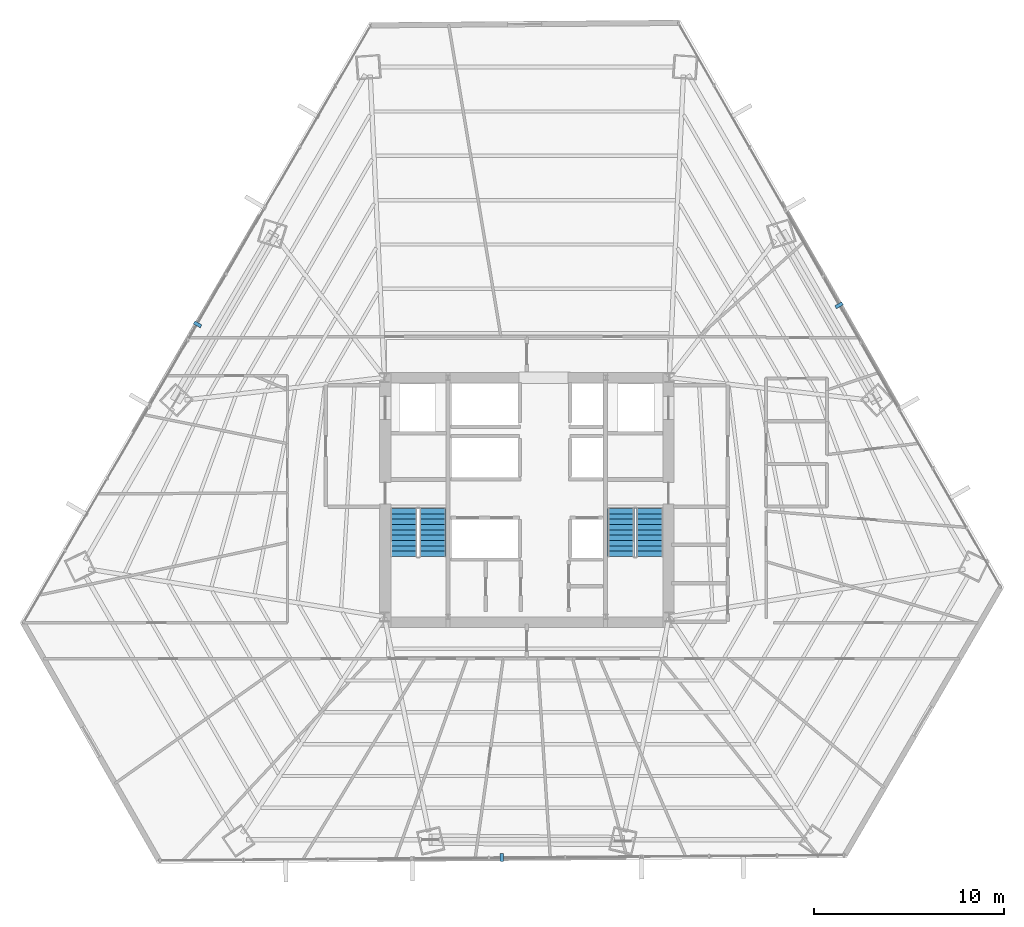
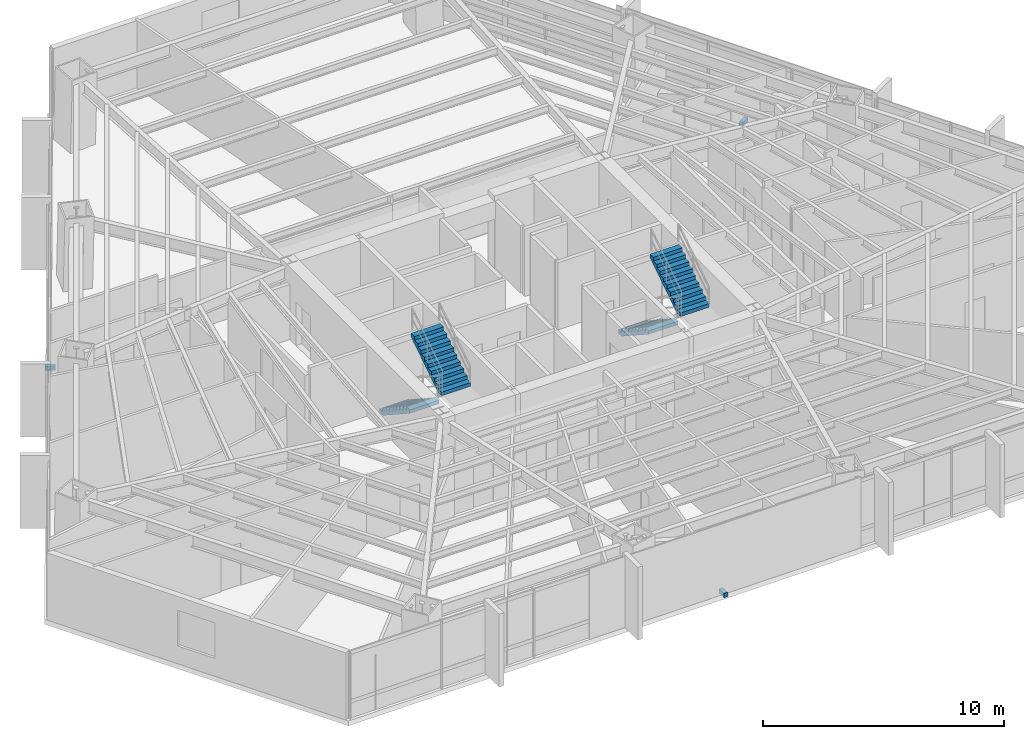
# One storey, part 35 of 38: 4 stair flights, 3 discrete accessories, 2 elements without a shape of their own.
"""IFC4 building model written with IfcOpenShell, lengths in metres."""

import ifcopenshell
import ifcopenshell.guid

model = None  # the IFC model being written
_history = None  # IfcOwnerHistory: only IFC2X3 demands one
_inside = {}  # id of a spatial element -> (the spatial element, [elements in it])
_under = {}  # id of a project, library or spatial element -> (it, [spatial elements below it])
_declared = {}  # id of a project -> (the project, [libraries it declares])
_typed = {}  # id of a type object -> (the type object, [elements of that type])
_made_of = {}  # id of a material, layer set ... -> (it, [elements and type objects made of it])


def new_model(schema):
    """Start an empty IFC model of exactly this schema.

    Asked for "IFC4X3", IfcOpenShell would pick the latest addendum, in which some entities
    have other attributes; the version numbers below select the first issue.
    IFC2X3 requires an IfcOwnerHistory on every rooted entity: one is made here for all.
    """
    global model, _history
    if schema == "IFC4X3":
        model = ifcopenshell.file(schema_version=(4, 3, 0, 0))
    else:
        model = ifcopenshell.file(schema=schema)
    _inside.clear()
    _under.clear()
    _declared.clear()
    _typed.clear()
    _made_of.clear()
    _history = None
    if model.schema == "IFC2X3":
        org = make("IfcOrganization", Name="unknown")
        user = make(
            "IfcPersonAndOrganization",
            ThePerson=make("IfcPerson", FamilyName="unknown"),
            TheOrganization=org,
        )
        app = make(
            "IfcApplication",
            ApplicationDeveloper=org,
            Version="unknown",
            ApplicationFullName="unknown",
            ApplicationIdentifier="unknown",
        )
        _history = make(
            "IfcOwnerHistory",
            OwningUser=user,
            OwningApplication=app,
            ChangeAction="ADDED",
            CreationDate=0,
        )
    return model


def make(cls, **values):
    """One entity of the class cls with the attributes given. An attribute that is None is left unset."""
    return model.create_entity(
        cls, **{name: value for name, value in values.items() if value is not None}
    )


def rooted(cls, **values):
    """An entity with a GlobalId (a new one), such as an element, a storey or a relation."""
    return make(cls, GlobalId=ifcopenshell.guid.new(), OwnerHistory=_history, **values)


def si_unit(unit_type, name, prefix=None):
    """IfcSIUnit, for example si_unit("LENGTHUNIT", "METRE", prefix="MILLI")."""
    return make("IfcSIUnit", UnitType=unit_type, Prefix=prefix, Name=name)


def assignment(units):
    """IfcUnitAssignment: the units of a project."""
    return None if units is None else make("IfcUnitAssignment", Units=units)


def point(xyz):
    """IfcCartesianPoint."""
    return None if xyz is None else make("IfcCartesianPoint", Coordinates=xyz)


def direction(xyz):
    """IfcDirection."""
    return None if xyz is None else make("IfcDirection", DirectionRatios=xyz)


def frame(location, z_axis=None, x_axis=None):
    """IfcAxis2Placement3D, a coordinate frame: its origin and axes. An axis left out is left unset."""
    return make(
        "IfcAxis2Placement3D",
        Location=point(location),
        Axis=direction(z_axis),
        RefDirection=direction(x_axis),
    )


def frame_2d(location, x_axis=None):
    """IfcAxis2Placement2D, a coordinate frame in the plane: its origin and x axis."""
    return make(
        "IfcAxis2Placement2D", Location=point(location), RefDirection=direction(x_axis)
    )


def origin():
    """The frame at (0, 0, 0) with its axes left unset."""
    return frame((0.0, 0.0, 0.0))


def origin_2d():
    """The frame at (0, 0) in the plane with its x axis left unset."""
    return frame_2d((0.0, 0.0))


def place(relative_to, where):
    """IfcLocalPlacement: puts the frame where relative to a parent placement (None: the world)."""
    return make(
        "IfcLocalPlacement", PlacementRelTo=relative_to, RelativePlacement=where
    )


def context(
    kind, dimensions, precision=None, world=None, true_north=None, identifier=None
):
    """IfcGeometricRepresentationContext, for example the 3D "Model" context."""
    return make(
        "IfcGeometricRepresentationContext",
        ContextIdentifier=identifier,
        ContextType=kind,
        CoordinateSpaceDimension=dimensions,
        Precision=precision,
        WorldCoordinateSystem=world,
        TrueNorth=true_north,
    )


def subcontext(parent, identifier, kind, view, scale=None):
    """IfcGeometricRepresentationSubContext, for example "Body" below "Model"."""
    return make(
        "IfcGeometricRepresentationSubContext",
        ContextIdentifier=identifier,
        ContextType=kind,
        ParentContext=parent,
        TargetScale=scale,
        TargetView=view,
    )


def project(units=None, contexts=None):
    """IfcProject with its units and contexts."""
    return rooted(
        "IfcProject",
        Name="project",
        RepresentationContexts=contexts,
        UnitsInContext=assignment(units),
    )


def spatial(cls, under=None, at=None, **own):
    """A site, building, storey or space (cls), placed at a placement, below another one or the project."""
    s = rooted(cls, ObjectPlacement=at, **own)
    if under is not None:
        _under.setdefault(under.id(), (under, []))[1].append(s)
    return s


def polyline(points):
    """IfcPolyline through the points."""
    return make("IfcPolyline", Points=[point(p) for p in points])


def profile(cls, at=None, kind="AREA", **sizes):
    """A parametric profile (cls). Its sizes go by their IFC names, for example OverallWidth=200.0."""
    return make(cls, ProfileType=kind, Position=at, **sizes)


def rectangle(**sizes):
    """IfcRectangleProfileDef."""
    return profile("IfcRectangleProfileDef", **sizes)


def outline(outer, holes=None, kind="AREA"):
    """IfcArbitraryClosedProfileDef: a profile drawn as a closed curve; with holes, ...WithVoids."""
    if holes is None:
        return make("IfcArbitraryClosedProfileDef", ProfileType=kind, OuterCurve=outer)
    return make(
        "IfcArbitraryProfileDefWithVoids",
        ProfileType=kind,
        OuterCurve=outer,
        InnerCurves=holes,
    )


def extrude(swept, where, along, depth):
    """IfcExtrudedAreaSolid: the profile swept, set in the frame where, extruded along a direction by depth."""
    return make(
        "IfcExtrudedAreaSolid",
        SweptArea=swept,
        Position=where,
        ExtrudedDirection=direction(along),
        Depth=depth,
    )


def shape(context_of_items, identifier, shape_type, items):
    """IfcShapeRepresentation: the items that make up one representation, for example the "Body"."""
    return make(
        "IfcShapeRepresentation",
        ContextOfItems=context_of_items,
        RepresentationIdentifier=identifier,
        RepresentationType=shape_type,
        Items=items,
    )


def source(mapping_origin, context_of_items, identifier, shape_type, items):
    """IfcRepresentationMap: a shape defined once, which mapped items show again and again."""
    return make(
        "IfcRepresentationMap",
        MappingOrigin=mapping_origin,
        MappedRepresentation=shape(context_of_items, identifier, shape_type, items),
    )


def transform(
    local_origin,
    x_axis=None,
    y_axis=None,
    z_axis=None,
    scale=None,
    scale2=None,
    scale3=None,
    uniform=True,
):
    """IfcCartesianTransformationOperator3D, or its non-uniform kind. x_axis, y_axis, z_axis: its Axis1, 2, 3."""
    if uniform:
        return make(
            "IfcCartesianTransformationOperator3D",
            Axis1=direction(x_axis),
            Axis2=direction(y_axis),
            LocalOrigin=point(local_origin),
            Scale=scale,
            Axis3=direction(z_axis),
        )
    return make(
        "IfcCartesianTransformationOperator3DnonUniform",
        Axis1=direction(x_axis),
        Axis2=direction(y_axis),
        LocalOrigin=point(local_origin),
        Scale=scale,
        Axis3=direction(z_axis),
        Scale2=scale2,
        Scale3=scale3,
    )


def mapped(mapping_source, mapping_target):
    """IfcMappedItem: shows the shape of a source again, moved by a transform."""
    return make(
        "IfcMappedItem", MappingSource=mapping_source, MappingTarget=mapping_target
    )


def material(Name=None, Category=None):
    """IfcMaterial."""
    return make("IfcMaterial", Name=Name, Category=Category)


def made_of(thing, what):
    """Note that an element or type object is made of a material, layer set ...; save() writes the relation."""
    if what is not None:
        _made_of.setdefault(what.id(), (what, []))[1].append(thing)
    return thing


def type_object(cls, material=None, **own):
    """A type object (cls), such as IfcWallType, which elements share."""
    return made_of(rooted(cls, **own), material)


def type_shapes(of_type, sources):
    """Give a type object the sources (RepresentationMaps) that its elements show as mapped items."""
    of_type.RepresentationMaps = sources


def element(
    cls,
    number,
    at=None,
    inside=None,
    cuts=None,
    type_object=None,
    material=None,
    context=None,
    identifier="Body",
    shape_type=None,
    held_by="IfcProductDefinitionShape",
    body=None,
    shapes=None,
    **own,
):
    """One element of the class cls, such as IfcWall. Its Tag is "e" and its number.

    at: its placement. inside: the storey or other place that contains it. cuts: it is an
    opening in that element (IfcRelVoidsElement). A single representation is given by context,
    identifier, shape_type and body (its items); several are given by shapes. held_by: the class
    of the entity that holds the representations. save() writes the other relations.
    """
    e = rooted(cls, Tag="e%d" % number, ObjectPlacement=at, **own)
    if body is not None:
        shapes = [shape(context, identifier, shape_type, body)]
    if shapes is not None:
        e.Representation = make(held_by, Representations=shapes)
    if inside is not None:
        _inside.setdefault(inside.id(), (inside, []))[1].append(e)
    if cuts is not None:
        rooted(
            "IfcRelVoidsElement", RelatingBuildingElement=cuts, RelatedOpeningElement=e
        )
    if type_object is not None:
        _typed.setdefault(type_object.id(), (type_object, []))[1].append(e)
    return made_of(e, material)


def aggregate(whole, parts):
    """IfcRelAggregates: a whole, such as a stair, and the parts it consists of."""
    return rooted("IfcRelAggregates", RelatingObject=whole, RelatedObjects=parts)


def save(model, path):
    """Write the relations noted so far, then the file.

    IfcRelAggregates (storeys below a building ...), IfcRelContainedInSpatialStructure (elements
    in a storey), IfcRelDefinesByType, IfcRelAssociatesMaterial and IfcRelDeclares: one each for
    every whole, place, type object, material and project.
    """
    for whole, parts in _under.values():
        aggregate(whole, parts)
    for where, things in _inside.values():
        rooted(
            "IfcRelContainedInSpatialStructure",
            RelatedElements=things,
            RelatingStructure=where,
        )
    for kind, things in _typed.values():
        rooted("IfcRelDefinesByType", RelatedObjects=things, RelatingType=kind)
    for what, things in _made_of.values():
        rooted("IfcRelAssociatesMaterial", RelatedObjects=things, RelatingMaterial=what)
    for by, libraries in _declared.values():
        rooted("IfcRelDeclares", RelatingContext=by, RelatedDefinitions=libraries)
    model.write(path)


model = new_model("IFC4")

# Units and contexts
model_context = context("Model", 3, precision=1e-05, world=origin(), true_north=direction((0.0, 1.0)))
body_context = subcontext(model_context, "Body", "Model", "MODEL_VIEW")
ifc_project = project(units=[si_unit("LENGTHUNIT", "METRE"), si_unit("AREAUNIT", "SQUARE_METRE"), si_unit("VOLUMEUNIT", "CUBIC_METRE"), si_unit("PLANEANGLEUNIT", "RADIAN"), si_unit("MASSUNIT", "GRAM", prefix="KILO")], contexts=[model_context])

# Site, building, storey
site_placement = place(None, origin())
site = spatial("IfcSite", under=ifc_project, at=site_placement, CompositionType="ELEMENT")
building_placement = place(site_placement, origin())
building = spatial("IfcBuilding", under=site, at=building_placement, Name="Caelisora Broadcast Tower", CompositionType="ELEMENT")
storey_placement = place(building_placement, frame((0.0, 0.0, 67.75)))
storey = spatial("IfcBuildingStorey", under=building, at=storey_placement, Name="L17", CompositionType="ELEMENT", Elevation=67.75)

# Stair, stair flights
ifc_material_1 = material(Name="Concrete 40 MPa (AS 3600 N40)", Category="concrete")
stair_type_1 = type_object("IfcStairType", Name="ST-1", PredefinedType="HALF_TURN_STAIR", material=ifc_material_1)
stair_1_placement = place(storey_placement, origin())
stair_1 = element("IfcStair", 1, at=stair_1_placement, inside=storey, type_object=stair_type_1, Name="L17 West Fire-Isolated Tower Stair", PredefinedType="HALF_TURN_STAIR")
stair_flight_type = type_object("IfcStairFlightType", Name="STF-2", PredefinedType="STRAIGHT", material=ifc_material_1)
stair_flight_1_placement = place(storey_placement, frame((31.52001953125, 23.10009765625, 0.0), z_axis=(0.0, 0.0, 1.0), x_axis=(0.0, -1.0, 0.0)))
stair_flight_1 = element("IfcStairFlight", 2, at=stair_flight_1_placement, type_object=stair_flight_type, Name="ST-1 flight 1", NumberOfRisers=10, NumberOfTreads=9, PredefinedType="STRAIGHT", RiserHeight=0.1825, TreadLength=0.28, context=body_context, shape_type="SweptSolid", body=[
    extrude(outline(polyline([(0.0, 0.0), (0.0, 0.1826171875), (0.280029296875, 0.1826171875), (0.280029296875, 0.364990234375), (0.56005859375, 0.364990234375), (0.56005859375, 0.547607421875), (0.840087890625, 0.547607421875), (0.840087890625, 0.72998046875), (1.1201171875, 0.72998046875), (1.1201171875, 0.91259765625), (1.39990234375, 0.91259765625), (1.39990234375, 1.094970703125), (1.679931640625, 1.094970703125), (1.679931640625, 1.277587890625), (1.9599609375, 1.277587890625), (1.9599609375, 1.4599609375), (2.239990234375, 1.4599609375), (2.239990234375, 1.642578125), (2.52001953125, 1.642578125), (2.52001953125, 1.824951171875), (2.52001953125, 1.463623046875), (0.2744140625, 0.0), (0.0, 0.0)])), frame((0.0, 0.699951171875, 0.0), z_axis=(0.0, -1.0, 0.0), x_axis=(1.0, 0.0, 0.0)), (0.0, 0.0, 1.0), 1.39990234375),
])
stair_flight_2_placement = place(storey_placement, frame((33.0400390625, 20.580078125, 1.824951171875), z_axis=(0.0, 0.0, 1.0), x_axis=(0.0, 1.0, 0.0)))
stair_flight_2 = element("IfcStairFlight", 3, at=stair_flight_2_placement, type_object=stair_flight_type, Name="ST-1 flight 2", NumberOfRisers=10, NumberOfTreads=9, PredefinedType="STRAIGHT", RiserHeight=0.1825, TreadLength=0.28, context=body_context, shape_type="SweptSolid", body=[
    extrude(outline(polyline([(0.0, 0.0), (0.0, 0.1826171875), (0.280029296875, 0.1826171875), (0.280029296875, 0.364990234375), (0.56005859375, 0.364990234375), (0.56005859375, 0.547607421875), (0.840087890625, 0.547607421875), (0.840087890625, 0.72998046875), (1.1201171875, 0.72998046875), (1.1201171875, 0.91259765625), (1.39990234375, 0.91259765625), (1.39990234375, 1.094970703125), (1.679931640625, 1.094970703125), (1.679931640625, 1.277587890625), (1.9599609375, 1.277587890625), (1.9599609375, 1.4599609375), (2.239990234375, 1.4599609375), (2.239990234375, 1.642578125), (2.52001953125, 1.642578125), (2.52001953125, 1.824951171875), (2.52001953125, 1.463623046875), (0.2744140625, 0.0), (0.0, 0.0)])), frame((0.0, 0.699951171875, 0.0), z_axis=(0.0, -1.0, 0.0), x_axis=(1.0, 0.0, 0.0)), (0.0, 0.0, 1.0), 1.39990234375),
])
aggregate(stair_1, [stair_flight_1, stair_flight_2])

stair_type_2 = type_object("IfcStairType", Name="ST-2", PredefinedType="HALF_TURN_STAIR", material=ifc_material_1)
stair_2_placement = place(storey_placement, origin())
stair_2 = element("IfcStair", 4, at=stair_2_placement, inside=storey, type_object=stair_type_2, Name="L17 East Fire-Isolated Tower Stair", PredefinedType="HALF_TURN_STAIR")
stair_flight_3_placement = place(storey_placement, frame((42.9599609375, 23.10009765625, 0.0), z_axis=(0.0, 0.0, 1.0), x_axis=(0.0, -1.0, 0.0)))
stair_flight_3 = element("IfcStairFlight", 5, at=stair_flight_3_placement, type_object=stair_flight_type, Name="ST-2 flight 1", NumberOfRisers=10, NumberOfTreads=9, PredefinedType="STRAIGHT", RiserHeight=0.1825, TreadLength=0.28, context=body_context, shape_type="SweptSolid", body=[
    extrude(outline(polyline([(0.0, 0.0), (0.0, 0.1826171875), (0.280029296875, 0.1826171875), (0.280029296875, 0.364990234375), (0.56005859375, 0.364990234375), (0.56005859375, 0.547607421875), (0.840087890625, 0.547607421875), (0.840087890625, 0.72998046875), (1.1201171875, 0.72998046875), (1.1201171875, 0.91259765625), (1.39990234375, 0.91259765625), (1.39990234375, 1.094970703125), (1.679931640625, 1.094970703125), (1.679931640625, 1.277587890625), (1.9599609375, 1.277587890625), (1.9599609375, 1.4599609375), (2.239990234375, 1.4599609375), (2.239990234375, 1.642578125), (2.52001953125, 1.642578125), (2.52001953125, 1.824951171875), (2.52001953125, 1.463623046875), (0.2744140625, 0.0), (0.0, 0.0)])), frame((0.0, 0.699951171875, 0.0), z_axis=(0.0, -1.0, 0.0), x_axis=(1.0, 0.0, 0.0)), (0.0, 0.0, 1.0), 1.39990234375),
])
stair_flight_4_placement = place(storey_placement, frame((44.47998046875, 20.580078125, 1.824951171875), z_axis=(0.0, 0.0, 1.0), x_axis=(0.0, 1.0, 0.0)))
stair_flight_4 = element("IfcStairFlight", 6, at=stair_flight_4_placement, type_object=stair_flight_type, Name="ST-2 flight 2", NumberOfRisers=10, NumberOfTreads=9, PredefinedType="STRAIGHT", RiserHeight=0.1825, TreadLength=0.28, context=body_context, shape_type="SweptSolid", body=[
    extrude(outline(polyline([(0.0, 0.0), (0.0, 0.1826171875), (0.280029296875, 0.1826171875), (0.280029296875, 0.364990234375), (0.56005859375, 0.364990234375), (0.56005859375, 0.547607421875), (0.840087890625, 0.547607421875), (0.840087890625, 0.72998046875), (1.1201171875, 0.72998046875), (1.1201171875, 0.91259765625), (1.39990234375, 0.91259765625), (1.39990234375, 1.094970703125), (1.679931640625, 1.094970703125), (1.679931640625, 1.277587890625), (1.9599609375, 1.277587890625), (1.9599609375, 1.4599609375), (2.239990234375, 1.4599609375), (2.239990234375, 1.642578125), (2.52001953125, 1.642578125), (2.52001953125, 1.824951171875), (2.52001953125, 1.463623046875), (0.2744140625, 0.0), (0.0, 0.0)])), frame((0.0, 0.699951171875, 0.0), z_axis=(0.0, -1.0, 0.0), x_axis=(1.0, 0.0, 0.0)), (0.0, 0.0, 1.0), 1.39990234375),
])
aggregate(stair_2, [stair_flight_3, stair_flight_4])

# Discrete accessories
ifc_material_2 = material(Name="Steel Grade 350 (AS/NZS 3679.1)", Category="steel")
discrete_accessory_type = type_object("IfcDiscreteAccessoryType", Name="BRK-1", PredefinedType="BRACKET", material=ifc_material_2)
shared_shape = source(origin(), body_context, "Body", "SweptSolid", [
    extrude(rectangle(XDim=0.179931640625, YDim=0.419921875, at=origin_2d()), origin(), (0.0, 0.0, 1.0), 0.219970703125),
])
type_shapes(discrete_accessory_type, [shared_shape])
for number, where, z_axis, x_axis, name in (
    (7, (20.666015625, 32.799072265625, -0.16015625), (0.0, 0.0, 1.0), (-0.50286909456, -0.864362582332, 0.0), "L17 solar screen outrigger bracket #1"),
    (8, (36.689697265625, 4.740478515625, -0.16015625), (0.0, 0.0, 1.0), (0.99996777165, 0.00802842831, 0.0), "L17 solar screen outrigger bracket #2"),
    (9, (54.439697265625, 33.80322265625, -0.16015625), (0.0, 0.0, 1.0), (-0.495913414893, 0.868371973828, 0.0), "L17 solar screen outrigger bracket #3"),
):
    element("IfcDiscreteAccessory", number, at=place(storey_placement, frame(where, z_axis=z_axis, x_axis=x_axis)), inside=storey, type_object=discrete_accessory_type, Name=name, PredefinedType="BRACKET", context=body_context, shape_type="MappedRepresentation", body=[
        mapped(shared_shape, transform((0.0, 0.0, 0.0), scale=1.0)),
    ])

save(model, "model.ifc")
